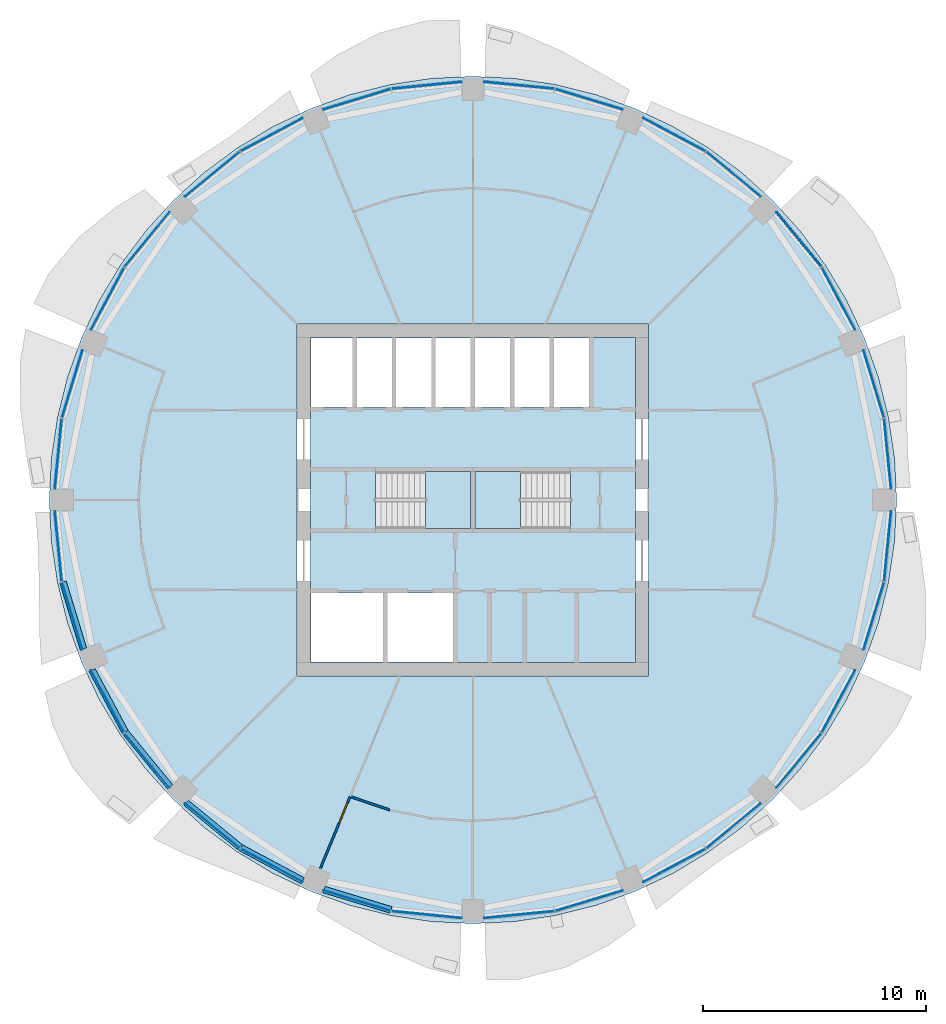
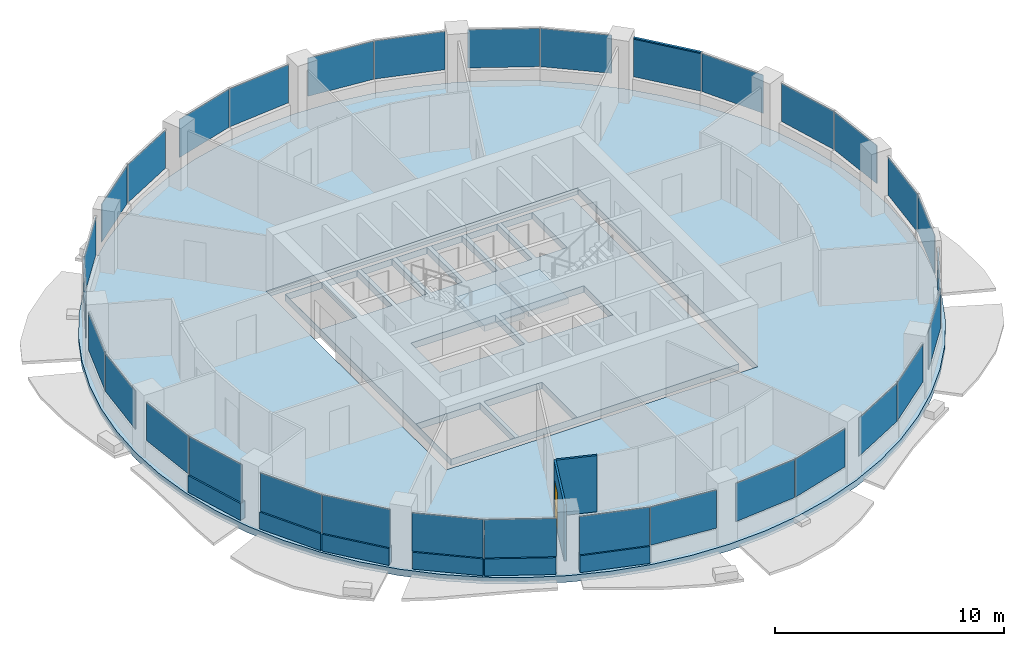
# One storey, part 7 of 15: 32 plates, 8 walls, 4 slabs, 1 door, 1 member, 1 opening, 18 elements without a shape of their own.
"""IFC4 building model written with IfcOpenShell, lengths in metres."""

from ifc_helpers import new_model, si_unit, direction, frame, frame_2d, origin, origin_2d, place, context, subcontext, project, spatial, polyline, rectangle, outline, extrude, material, layer, layer_set, material_profile, profile_set, type_object, element, fill, aggregate, save


model = new_model("IFC4")

# Units and contexts
model_context = context("Model", 3, precision=1e-05, world=origin(), true_north=direction((0.0, 1.0)))
body_context = subcontext(model_context, "Body", "Model", "MODEL_VIEW")
ifc_project = project(units=[si_unit("LENGTHUNIT", "METRE"), si_unit("AREAUNIT", "SQUARE_METRE"), si_unit("VOLUMEUNIT", "CUBIC_METRE"), si_unit("PLANEANGLEUNIT", "RADIAN"), si_unit("MASSUNIT", "GRAM", prefix="KILO")], contexts=[model_context])

# Site, building, storey
site_placement = place(None, origin())
site = spatial("IfcSite", under=ifc_project, at=site_placement, CompositionType="ELEMENT")
building_placement = place(site_placement, origin())
building = spatial("IfcBuilding", under=site, at=building_placement, Name="Polderwave Tower", CompositionType="ELEMENT")
storey_placement = place(building_placement, frame((0.0, 0.0, 137.699951171875)))
storey = spatial("IfcBuildingStorey", under=building, at=storey_placement, Name="L36", CompositionType="ELEMENT", Elevation=137.699951171875)

# Curtain wall, member
ifc_material_1 = material(Name="Aluminium 6063-T6 and glass", Category="aluminium")
curtain_wall_type = type_object("IfcCurtainWallType", Name="Office ribbon glazing wall", PredefinedType="NOTDEFINED", material=ifc_material_1)
curtain_wall_1_placement = place(storey_placement, origin())
curtain_wall_1 = element("IfcCurtainWall", 1, at=curtain_wall_1_placement, inside=storey, type_object=curtain_wall_type, Name="CW3 L36 01", PredefinedType="NOTDEFINED")
ifc_material_2 = material(Name="Aluminium 6063-T6", Category="aluminium")
ifc_material_profile = material_profile(ifc_material_2, rectangle(XDim=0.1201171875, YDim=0.06005859375, at=origin_2d()), Name="AL 60x120")
ifc_profile_set = profile_set([ifc_material_profile], Name="Aluminium 6063-T6")
member_type = type_object("IfcMemberType", Name="Office ribbon glazing transom 60x120", PredefinedType="USERDEFINED", material=ifc_profile_set)
member_placement = place(storey_placement, frame((15.59765625, 10.455322265625, 2.969970703125), z_axis=(-0.634536204131, 0.772893139863, 0.0), x_axis=(-0.772893139863, -0.634536204131, 0.0)))
member = element("IfcMember", 2, at=member_placement, type_object=member_type, Name="CW3 transom 2", ObjectType="TRANSOM", PredefinedType="USERDEFINED", context=body_context, shape_type="SweptSolid", body=[
    extrude(rectangle(XDim=0.1201171875, YDim=0.06005859375, at=origin_2d()), origin(), (0.0, 0.0, 1.0), 3.151611328125),
])

# Slab
ifc_material_3 = material(Name="Concrete C40/50", Category="concrete")
ifc_layer_1 = layer(ifc_material_3, 0.35009765625)
ifc_layer_set_1 = layer_set([ifc_layer_1], Name="Core floor slab 350")
slab_type_1 = type_object("IfcSlabType", Name="Core floor slab 350", PredefinedType="FLOOR", material=ifc_layer_set_1)
slab_1_placement = place(storey_placement, frame((0.0, 0.0, -0.349853515625)))
element("IfcSlab", 3, at=slab_1_placement, inside=storey, type_object=slab_type_1, Name="L36 core floor", PredefinedType="FLOOR", context=body_context, shape_type="SweptSolid", body=[
    extrude(outline(polyline([(-7.27392578125, -7.27392578125), (7.27392578125, -7.27392578125), (7.27392578125, 7.27392578125), (-7.27392578125, 7.27392578125), (-7.27392578125, -7.27392578125)]), holes=[polyline([(-7.25390625, -7.25390625), (-4.037109375, -7.25390625), (-4.037109375, -4.174072265625), (-7.25390625, -4.174072265625), (-7.25390625, -7.25390625)]), polyline([(-3.8369140625, -7.25390625), (-0.89990234375, -7.25390625), (-0.89990234375, -4.174072265625), (-3.8369140625, -4.174072265625), (-3.8369140625, -7.25390625)]), polyline([(-7.25390625, 4.174072265625), (-5.405517578125, 4.174072265625), (-5.405517578125, 7.25390625), (-7.25390625, 7.25390625), (-7.25390625, 4.174072265625)]), polyline([(-5.20556640625, 4.174072265625), (-3.636962890625, 4.174072265625), (-3.636962890625, 7.25390625), (-5.20556640625, 7.25390625), (-5.20556640625, 4.174072265625)]), polyline([(-3.43701171875, 4.174072265625), (-1.868408203125, 4.174072265625), (-1.868408203125, 7.25390625), (-3.43701171875, 7.25390625), (-3.43701171875, 4.174072265625)]), polyline([(-1.66845703125, 4.174072265625), (-0.10009765625, 4.174072265625), (-0.10009765625, 7.25390625), (-1.66845703125, 7.25390625), (-1.66845703125, 4.174072265625)]), polyline([(0.10009765625, 4.174072265625), (1.66845703125, 4.174072265625), (1.66845703125, 7.25390625), (0.10009765625, 7.25390625), (0.10009765625, 4.174072265625)]), polyline([(1.868408203125, 4.174072265625), (3.43701171875, 4.174072265625), (3.43701171875, 7.25390625), (1.868408203125, 7.25390625), (1.868408203125, 4.174072265625)]), polyline([(3.636962890625, 4.174072265625), (5.20556640625, 4.174072265625), (5.20556640625, 7.25390625), (3.636962890625, 7.25390625), (3.636962890625, 4.174072265625)]), polyline([(-4.37353515625, -1.2744140625), (-0.1005859375, -1.2744140625), (-0.1005859375, 1.2744140625), (-4.37353515625, 1.2744140625), (-4.37353515625, -1.2744140625)]), polyline([(0.1005859375, -1.2744140625), (4.37353515625, -1.2744140625), (4.37353515625, 1.2744140625), (0.1005859375, 1.2744140625), (0.1005859375, -1.2744140625)])]), origin(), (0.0, 0.0, 1.0), 0.349853515625),
])

# Curtain wall, plates
curtain_wall_2_placement = place(storey_placement, origin())
curtain_wall_2 = element("IfcCurtainWall", 4, at=curtain_wall_2_placement, inside=storey, type_object=curtain_wall_type, Name="CW3 L36 00", PredefinedType="NOTDEFINED")
ifc_material_4 = material(Name="Glass, low-e laminated double glazing", Category="glass")
ifc_layer_2 = layer(ifc_material_4, 0.031982421875)
ifc_layer_set_2 = layer_set([ifc_layer_2], Name="Office ribbon glazing glass panel 32 mm")
plate_type = type_object("IfcPlateType", Name="Office ribbon glazing glass panel 32 mm", PredefinedType="CURTAIN_PANEL", material=ifc_layer_set_2)
plate_1_placement = place(storey_placement, frame((18.576416015625, 2.068359375, 0.900146484375), z_axis=(0.0, 0.0, 1.0), x_axis=(-0.098133513635, 0.995173258032, 0.0)))
plate_1 = element("IfcPlate", 5, at=plate_1_placement, type_object=plate_type, Name="CW3 panel 1", PredefinedType="CURTAIN_PANEL", context=body_context, shape_type="SweptSolid", body=[
    extrude(rectangle(XDim=3.15185546875, YDim=0.031982421875, at=origin_2d()), origin(), (0.0, 0.0, 1.0), 2.0400390625),
])
plate_2_placement = place(storey_placement, frame((17.95361328125, 5.1982421875, 0.900146484375), z_axis=(0.0, 0.0, 1.0), x_axis=(-0.290348143302, 0.956921081219, 0.0)))
plate_2 = element("IfcPlate", 6, at=plate_2_placement, type_object=plate_type, Name="CW3 panel 2", PredefinedType="CURTAIN_PANEL", context=body_context, shape_type="SweptSolid", body=[
    extrude(rectangle(XDim=3.1513671875, YDim=0.031982421875, at=origin_2d()), origin(), (0.0, 0.0, 1.0), 2.0400390625),
])
aggregate(curtain_wall_2, [plate_1, plate_2])

# Plate
plate_3_placement = place(storey_placement, frame((16.37109375, 9.02001953125, 0.900146484375), z_axis=(0.0, 0.0, 1.0), x_axis=(-0.471453687833, 0.881890821036, 0.0)))
plate_3 = element("IfcPlate", 7, at=plate_3_placement, type_object=plate_type, Name="CW3 panel 1", PredefinedType="CURTAIN_PANEL", context=body_context, shape_type="SweptSolid", body=[
    extrude(rectangle(XDim=3.152099609375, YDim=0.031982421875, at=origin_2d()), origin(), (0.0, 0.0, 1.0), 2.0400390625),
])

plate_4_placement = place(storey_placement, frame((14.597900390625, 11.673095703125, 0.900146484375), z_axis=(0.0, 0.0, 1.0), x_axis=(-0.634505257601, 0.772918545564, 0.0)))
plate_4 = element("IfcPlate", 8, at=plate_4_placement, type_object=plate_type, Name="CW3 panel 2", PredefinedType="CURTAIN_PANEL", context=body_context, shape_type="SweptSolid", body=[
    extrude(rectangle(XDim=3.1513671875, YDim=0.031982421875, at=origin_2d()), origin(), (0.0, 0.0, 1.0), 2.0400390625),
])

aggregate(curtain_wall_1, [member, plate_3, plate_4])

# Curtain wall, plates
curtain_wall_3_placement = place(storey_placement, origin())
curtain_wall_3 = element("IfcCurtainWall", 9, at=curtain_wall_3_placement, inside=storey, type_object=curtain_wall_type, Name="CW3 L36 02", PredefinedType="NOTDEFINED")
plate_5_placement = place(storey_placement, frame((11.673095703125, 14.597900390625, 0.900146484375), z_axis=(0.0, 0.0, 1.0), x_axis=(-0.772918545564, 0.634505257601, 0.0)))
plate_5 = element("IfcPlate", 10, at=plate_5_placement, type_object=plate_type, Name="CW3 panel 1", PredefinedType="CURTAIN_PANEL", context=body_context, shape_type="SweptSolid", body=[
    extrude(rectangle(XDim=3.1513671875, YDim=0.031982421875, at=origin_2d()), origin(), (0.0, 0.0, 1.0), 2.0400390625),
])
plate_6_placement = place(storey_placement, frame((9.02001953125, 16.37109375, 0.900146484375), z_axis=(0.0, 0.0, 1.0), x_axis=(-0.881890821036, 0.471453687833, 0.0)))
plate_6 = element("IfcPlate", 11, at=plate_6_placement, type_object=plate_type, Name="CW3 panel 2", PredefinedType="CURTAIN_PANEL", context=body_context, shape_type="SweptSolid", body=[
    extrude(rectangle(XDim=3.152099609375, YDim=0.031982421875, at=origin_2d()), origin(), (0.0, 0.0, 1.0), 2.0400390625),
])
aggregate(curtain_wall_3, [plate_5, plate_6])

curtain_wall_4_placement = place(storey_placement, origin())
curtain_wall_4 = element("IfcCurtainWall", 12, at=curtain_wall_4_placement, inside=storey, type_object=curtain_wall_type, Name="CW3 L36 03", PredefinedType="NOTDEFINED")
plate_7_placement = place(storey_placement, frame((5.1982421875, 17.95361328125, 0.900146484375), z_axis=(0.0, 0.0, 1.0), x_axis=(-0.956921081219, 0.290348143302, 0.0)))
plate_7 = element("IfcPlate", 13, at=plate_7_placement, type_object=plate_type, Name="CW3 panel 1", PredefinedType="CURTAIN_PANEL", context=body_context, shape_type="SweptSolid", body=[
    extrude(rectangle(XDim=3.1513671875, YDim=0.031982421875, at=origin_2d()), origin(), (0.0, 0.0, 1.0), 2.0400390625),
])
plate_8_placement = place(storey_placement, frame((2.068359375, 18.576416015625, 0.900146484375), z_axis=(0.0, 0.0, 1.0), x_axis=(-0.995173258032, 0.098133513635, 0.0)))
plate_8 = element("IfcPlate", 14, at=plate_8_placement, type_object=plate_type, Name="CW3 panel 2", PredefinedType="CURTAIN_PANEL", context=body_context, shape_type="SweptSolid", body=[
    extrude(rectangle(XDim=3.15185546875, YDim=0.031982421875, at=origin_2d()), origin(), (0.0, 0.0, 1.0), 2.0400390625),
])
aggregate(curtain_wall_4, [plate_7, plate_8])

curtain_wall_5_placement = place(storey_placement, origin())
curtain_wall_5 = element("IfcCurtainWall", 15, at=curtain_wall_5_placement, inside=storey, type_object=curtain_wall_type, Name="CW3 L36 04", PredefinedType="NOTDEFINED")
plate_9_placement = place(storey_placement, frame((-2.068359375, 18.576416015625, 0.900146484375), z_axis=(0.0, 0.0, 1.0), x_axis=(-0.995173258032, -0.098133513635, 0.0)))
plate_9 = element("IfcPlate", 16, at=plate_9_placement, type_object=plate_type, Name="CW3 panel 1", PredefinedType="CURTAIN_PANEL", context=body_context, shape_type="SweptSolid", body=[
    extrude(rectangle(XDim=3.15185546875, YDim=0.031982421875, at=origin_2d()), origin(), (0.0, 0.0, 1.0), 2.0400390625),
])
plate_10_placement = place(storey_placement, frame((-5.1982421875, 17.95361328125, 0.900146484375), z_axis=(0.0, 0.0, 1.0), x_axis=(-0.956921081219, -0.290348143302, 0.0)))
plate_10 = element("IfcPlate", 17, at=plate_10_placement, type_object=plate_type, Name="CW3 panel 2", PredefinedType="CURTAIN_PANEL", context=body_context, shape_type="SweptSolid", body=[
    extrude(rectangle(XDim=3.1513671875, YDim=0.031982421875, at=origin_2d()), origin(), (0.0, 0.0, 1.0), 2.0400390625),
])
aggregate(curtain_wall_5, [plate_9, plate_10])

curtain_wall_6_placement = place(storey_placement, origin())
curtain_wall_6 = element("IfcCurtainWall", 18, at=curtain_wall_6_placement, inside=storey, type_object=curtain_wall_type, Name="CW3 L36 05", PredefinedType="NOTDEFINED")
plate_11_placement = place(storey_placement, frame((-9.02001953125, 16.37109375, 0.900146484375), z_axis=(0.0, 0.0, 1.0), x_axis=(-0.881890821036, -0.471453687833, 0.0)))
plate_11 = element("IfcPlate", 19, at=plate_11_placement, type_object=plate_type, Name="CW3 panel 1", PredefinedType="CURTAIN_PANEL", context=body_context, shape_type="SweptSolid", body=[
    extrude(rectangle(XDim=3.152099609375, YDim=0.031982421875, at=origin_2d()), origin(), (0.0, 0.0, 1.0), 2.0400390625),
])
plate_12_placement = place(storey_placement, frame((-11.673095703125, 14.597900390625, 0.900146484375), z_axis=(0.0, 0.0, 1.0), x_axis=(-0.772918545564, -0.634505257601, 0.0)))
plate_12 = element("IfcPlate", 20, at=plate_12_placement, type_object=plate_type, Name="CW3 panel 2", PredefinedType="CURTAIN_PANEL", context=body_context, shape_type="SweptSolid", body=[
    extrude(rectangle(XDim=3.1513671875, YDim=0.031982421875, at=origin_2d()), origin(), (0.0, 0.0, 1.0), 2.0400390625),
])
aggregate(curtain_wall_6, [plate_11, plate_12])

curtain_wall_7_placement = place(storey_placement, origin())
curtain_wall_7 = element("IfcCurtainWall", 21, at=curtain_wall_7_placement, inside=storey, type_object=curtain_wall_type, Name="CW3 L36 06", PredefinedType="NOTDEFINED")
plate_13_placement = place(storey_placement, frame((-14.597900390625, 11.673095703125, 0.900146484375), z_axis=(0.0, 0.0, 1.0), x_axis=(-0.634505257601, -0.772918545564, 0.0)))
plate_13 = element("IfcPlate", 22, at=plate_13_placement, type_object=plate_type, Name="CW3 panel 1", PredefinedType="CURTAIN_PANEL", context=body_context, shape_type="SweptSolid", body=[
    extrude(rectangle(XDim=3.1513671875, YDim=0.031982421875, at=origin_2d()), origin(), (0.0, 0.0, 1.0), 2.0400390625),
])
plate_14_placement = place(storey_placement, frame((-16.37109375, 9.02001953125, 0.900146484375), z_axis=(0.0, 0.0, 1.0), x_axis=(-0.471453687833, -0.881890821036, 0.0)))
plate_14 = element("IfcPlate", 23, at=plate_14_placement, type_object=plate_type, Name="CW3 panel 2", PredefinedType="CURTAIN_PANEL", context=body_context, shape_type="SweptSolid", body=[
    extrude(rectangle(XDim=3.152099609375, YDim=0.031982421875, at=origin_2d()), origin(), (0.0, 0.0, 1.0), 2.0400390625),
])
aggregate(curtain_wall_7, [plate_13, plate_14])

curtain_wall_8_placement = place(storey_placement, origin())
curtain_wall_8 = element("IfcCurtainWall", 24, at=curtain_wall_8_placement, inside=storey, type_object=curtain_wall_type, Name="CW3 L36 07", PredefinedType="NOTDEFINED")
plate_15_placement = place(storey_placement, frame((-17.95361328125, 5.1982421875, 0.900146484375), z_axis=(0.0, 0.0, 1.0), x_axis=(-0.290348143302, -0.956921081219, 0.0)))
plate_15 = element("IfcPlate", 25, at=plate_15_placement, type_object=plate_type, Name="CW3 panel 1", PredefinedType="CURTAIN_PANEL", context=body_context, shape_type="SweptSolid", body=[
    extrude(rectangle(XDim=3.1513671875, YDim=0.031982421875, at=origin_2d()), origin(), (0.0, 0.0, 1.0), 2.0400390625),
])
plate_16_placement = place(storey_placement, frame((-18.576416015625, 2.068359375, 0.900146484375), z_axis=(0.0, 0.0, 1.0), x_axis=(-0.098133513635, -0.995173258032, 0.0)))
plate_16 = element("IfcPlate", 26, at=plate_16_placement, type_object=plate_type, Name="CW3 panel 2", PredefinedType="CURTAIN_PANEL", context=body_context, shape_type="SweptSolid", body=[
    extrude(rectangle(XDim=3.15185546875, YDim=0.031982421875, at=origin_2d()), origin(), (0.0, 0.0, 1.0), 2.0400390625),
])
aggregate(curtain_wall_8, [plate_15, plate_16])

curtain_wall_9_placement = place(storey_placement, origin())
curtain_wall_9 = element("IfcCurtainWall", 27, at=curtain_wall_9_placement, inside=storey, type_object=curtain_wall_type, Name="CW3 L36 08", PredefinedType="NOTDEFINED")
plate_17_placement = place(storey_placement, frame((-18.576416015625, -2.068359375, 0.900146484375), z_axis=(0.0, 0.0, 1.0), x_axis=(0.098133513635, -0.995173258032, 0.0)))
plate_17 = element("IfcPlate", 28, at=plate_17_placement, type_object=plate_type, Name="CW3 panel 1", PredefinedType="CURTAIN_PANEL", context=body_context, shape_type="SweptSolid", body=[
    extrude(rectangle(XDim=3.15185546875, YDim=0.031982421875, at=origin_2d()), origin(), (0.0, 0.0, 1.0), 2.0400390625),
])
plate_18_placement = place(storey_placement, frame((-17.95361328125, -5.1982421875, 0.900146484375), z_axis=(0.0, 0.0, 1.0), x_axis=(0.290348143302, -0.956921081219, 0.0)))
plate_18 = element("IfcPlate", 29, at=plate_18_placement, type_object=plate_type, Name="CW3 panel 2", PredefinedType="CURTAIN_PANEL", context=body_context, shape_type="SweptSolid", body=[
    extrude(rectangle(XDim=3.1513671875, YDim=0.031982421875, at=origin_2d()), origin(), (0.0, 0.0, 1.0), 2.0400390625),
])
aggregate(curtain_wall_9, [plate_17, plate_18])

curtain_wall_10_placement = place(storey_placement, origin())
curtain_wall_10 = element("IfcCurtainWall", 30, at=curtain_wall_10_placement, inside=storey, type_object=curtain_wall_type, Name="CW3 L36 09", PredefinedType="NOTDEFINED")
plate_19_placement = place(storey_placement, frame((-16.37109375, -9.02001953125, 0.900146484375), z_axis=(0.0, 0.0, 1.0), x_axis=(0.471453687833, -0.881890821036, 0.0)))
plate_19 = element("IfcPlate", 31, at=plate_19_placement, type_object=plate_type, Name="CW3 panel 1", PredefinedType="CURTAIN_PANEL", context=body_context, shape_type="SweptSolid", body=[
    extrude(rectangle(XDim=3.152099609375, YDim=0.031982421875, at=origin_2d()), origin(), (0.0, 0.0, 1.0), 2.0400390625),
])
plate_20_placement = place(storey_placement, frame((-14.597900390625, -11.673095703125, 0.900146484375), z_axis=(0.0, 0.0, 1.0), x_axis=(0.634505257601, -0.772918545564, 0.0)))
plate_20 = element("IfcPlate", 32, at=plate_20_placement, type_object=plate_type, Name="CW3 panel 2", PredefinedType="CURTAIN_PANEL", context=body_context, shape_type="SweptSolid", body=[
    extrude(rectangle(XDim=3.1513671875, YDim=0.031982421875, at=origin_2d()), origin(), (0.0, 0.0, 1.0), 2.0400390625),
])
aggregate(curtain_wall_10, [plate_19, plate_20])

curtain_wall_11_placement = place(storey_placement, origin())
curtain_wall_11 = element("IfcCurtainWall", 33, at=curtain_wall_11_placement, inside=storey, type_object=curtain_wall_type, Name="CW3 L36 10", PredefinedType="NOTDEFINED")
plate_21_placement = place(storey_placement, frame((-11.673095703125, -14.597900390625, 0.900146484375), z_axis=(0.0, 0.0, 1.0), x_axis=(0.772918545564, -0.634505257601, 0.0)))
plate_21 = element("IfcPlate", 34, at=plate_21_placement, type_object=plate_type, Name="CW3 panel 1", PredefinedType="CURTAIN_PANEL", context=body_context, shape_type="SweptSolid", body=[
    extrude(rectangle(XDim=3.1513671875, YDim=0.031982421875, at=origin_2d()), origin(), (0.0, 0.0, 1.0), 2.0400390625),
])
plate_22_placement = place(storey_placement, frame((-9.02001953125, -16.37109375, 0.900146484375), z_axis=(0.0, 0.0, 1.0), x_axis=(0.881890821036, -0.471453687833, 0.0)))
plate_22 = element("IfcPlate", 35, at=plate_22_placement, type_object=plate_type, Name="CW3 panel 2", PredefinedType="CURTAIN_PANEL", context=body_context, shape_type="SweptSolid", body=[
    extrude(rectangle(XDim=3.152099609375, YDim=0.031982421875, at=origin_2d()), origin(), (0.0, 0.0, 1.0), 2.0400390625),
])
aggregate(curtain_wall_11, [plate_21, plate_22])

curtain_wall_12_placement = place(storey_placement, origin())
curtain_wall_12 = element("IfcCurtainWall", 36, at=curtain_wall_12_placement, inside=storey, type_object=curtain_wall_type, Name="CW3 L36 11", PredefinedType="NOTDEFINED")
plate_23_placement = place(storey_placement, frame((-5.1982421875, -17.95361328125, 0.900146484375), z_axis=(0.0, 0.0, 1.0), x_axis=(0.956921081219, -0.290348143302, 0.0)))
plate_23 = element("IfcPlate", 37, at=plate_23_placement, type_object=plate_type, Name="CW3 panel 1", PredefinedType="CURTAIN_PANEL", context=body_context, shape_type="SweptSolid", body=[
    extrude(rectangle(XDim=3.1513671875, YDim=0.031982421875, at=origin_2d()), origin(), (0.0, 0.0, 1.0), 2.0400390625),
])
plate_24_placement = place(storey_placement, frame((-2.068359375, -18.576416015625, 0.900146484375), z_axis=(0.0, 0.0, 1.0), x_axis=(0.995173258032, -0.098133513635, 0.0)))
plate_24 = element("IfcPlate", 38, at=plate_24_placement, type_object=plate_type, Name="CW3 panel 2", PredefinedType="CURTAIN_PANEL", context=body_context, shape_type="SweptSolid", body=[
    extrude(rectangle(XDim=3.15185546875, YDim=0.031982421875, at=origin_2d()), origin(), (0.0, 0.0, 1.0), 2.0400390625),
])
aggregate(curtain_wall_12, [plate_23, plate_24])

curtain_wall_13_placement = place(storey_placement, origin())
curtain_wall_13 = element("IfcCurtainWall", 39, at=curtain_wall_13_placement, inside=storey, type_object=curtain_wall_type, Name="CW3 L36 12", PredefinedType="NOTDEFINED")
plate_25_placement = place(storey_placement, frame((2.068359375, -18.576416015625, 0.900146484375), z_axis=(0.0, 0.0, 1.0), x_axis=(0.995173258032, 0.098133513635, 0.0)))
plate_25 = element("IfcPlate", 40, at=plate_25_placement, type_object=plate_type, Name="CW3 panel 1", PredefinedType="CURTAIN_PANEL", context=body_context, shape_type="SweptSolid", body=[
    extrude(rectangle(XDim=3.15185546875, YDim=0.031982421875, at=origin_2d()), origin(), (0.0, 0.0, 1.0), 2.0400390625),
])
plate_26_placement = place(storey_placement, frame((5.1982421875, -17.95361328125, 0.900146484375), z_axis=(0.0, 0.0, 1.0), x_axis=(0.956921081219, 0.290348143302, 0.0)))
plate_26 = element("IfcPlate", 41, at=plate_26_placement, type_object=plate_type, Name="CW3 panel 2", PredefinedType="CURTAIN_PANEL", context=body_context, shape_type="SweptSolid", body=[
    extrude(rectangle(XDim=3.1513671875, YDim=0.031982421875, at=origin_2d()), origin(), (0.0, 0.0, 1.0), 2.0400390625),
])
aggregate(curtain_wall_13, [plate_25, plate_26])

curtain_wall_14_placement = place(storey_placement, origin())
curtain_wall_14 = element("IfcCurtainWall", 42, at=curtain_wall_14_placement, inside=storey, type_object=curtain_wall_type, Name="CW3 L36 13", PredefinedType="NOTDEFINED")
plate_27_placement = place(storey_placement, frame((9.02001953125, -16.37109375, 0.900146484375), z_axis=(0.0, 0.0, 1.0), x_axis=(0.881890821036, 0.471453687833, 0.0)))
plate_27 = element("IfcPlate", 43, at=plate_27_placement, type_object=plate_type, Name="CW3 panel 1", PredefinedType="CURTAIN_PANEL", context=body_context, shape_type="SweptSolid", body=[
    extrude(rectangle(XDim=3.152099609375, YDim=0.031982421875, at=origin_2d()), origin(), (0.0, 0.0, 1.0), 2.0400390625),
])
plate_28_placement = place(storey_placement, frame((11.673095703125, -14.597900390625, 0.900146484375), z_axis=(0.0, 0.0, 1.0), x_axis=(0.772918545564, 0.634505257601, 0.0)))
plate_28 = element("IfcPlate", 44, at=plate_28_placement, type_object=plate_type, Name="CW3 panel 2", PredefinedType="CURTAIN_PANEL", context=body_context, shape_type="SweptSolid", body=[
    extrude(rectangle(XDim=3.1513671875, YDim=0.031982421875, at=origin_2d()), origin(), (0.0, 0.0, 1.0), 2.0400390625),
])
aggregate(curtain_wall_14, [plate_27, plate_28])

curtain_wall_15_placement = place(storey_placement, origin())
curtain_wall_15 = element("IfcCurtainWall", 45, at=curtain_wall_15_placement, inside=storey, type_object=curtain_wall_type, Name="CW3 L36 14", PredefinedType="NOTDEFINED")
plate_29_placement = place(storey_placement, frame((14.597900390625, -11.673095703125, 0.900146484375), z_axis=(0.0, 0.0, 1.0), x_axis=(0.634505257601, 0.772918545564, 0.0)))
plate_29 = element("IfcPlate", 46, at=plate_29_placement, type_object=plate_type, Name="CW3 panel 1", PredefinedType="CURTAIN_PANEL", context=body_context, shape_type="SweptSolid", body=[
    extrude(rectangle(XDim=3.1513671875, YDim=0.031982421875, at=origin_2d()), origin(), (0.0, 0.0, 1.0), 2.0400390625),
])
plate_30_placement = place(storey_placement, frame((16.37109375, -9.02001953125, 0.900146484375), z_axis=(0.0, 0.0, 1.0), x_axis=(0.471453687833, 0.881890821036, 0.0)))
plate_30 = element("IfcPlate", 47, at=plate_30_placement, type_object=plate_type, Name="CW3 panel 2", PredefinedType="CURTAIN_PANEL", context=body_context, shape_type="SweptSolid", body=[
    extrude(rectangle(XDim=3.152099609375, YDim=0.031982421875, at=origin_2d()), origin(), (0.0, 0.0, 1.0), 2.0400390625),
])
aggregate(curtain_wall_15, [plate_29, plate_30])

curtain_wall_16_placement = place(storey_placement, origin())
curtain_wall_16 = element("IfcCurtainWall", 48, at=curtain_wall_16_placement, inside=storey, type_object=curtain_wall_type, Name="CW3 L36 15", PredefinedType="NOTDEFINED")
plate_31_placement = place(storey_placement, frame((17.95361328125, -5.1982421875, 0.900146484375), z_axis=(0.0, 0.0, 1.0), x_axis=(0.290348143302, 0.956921081219, 0.0)))
plate_31 = element("IfcPlate", 49, at=plate_31_placement, type_object=plate_type, Name="CW3 panel 1", PredefinedType="CURTAIN_PANEL", context=body_context, shape_type="SweptSolid", body=[
    extrude(rectangle(XDim=3.1513671875, YDim=0.031982421875, at=origin_2d()), origin(), (0.0, 0.0, 1.0), 2.0400390625),
])
plate_32_placement = place(storey_placement, frame((18.576416015625, -2.068359375, 0.900146484375), z_axis=(0.0, 0.0, 1.0), x_axis=(0.098133513635, 0.995173258032, 0.0)))
plate_32 = element("IfcPlate", 50, at=plate_32_placement, type_object=plate_type, Name="CW3 panel 2", PredefinedType="CURTAIN_PANEL", context=body_context, shape_type="SweptSolid", body=[
    extrude(rectangle(XDim=3.15185546875, YDim=0.031982421875, at=origin_2d()), origin(), (0.0, 0.0, 1.0), 2.0400390625),
])
aggregate(curtain_wall_16, [plate_31, plate_32])

# Slab
ifc_layer_3 = layer(ifc_material_3, 0.35009765625)
ifc_layer_set_3 = layer_set([ifc_layer_3], Name="PT FLOOR SLAB 350 C40/50")
slab_type_2 = type_object("IfcSlabType", Name="PT FLOOR SLAB 350 C40/50", PredefinedType="FLOOR", material=ifc_layer_set_3)
slab_2_placement = place(storey_placement, frame((0.0, 0.0, -0.349853515625)))
element("IfcSlab", 51, at=slab_2_placement, inside=storey, type_object=slab_type_2, Name="ST-SLAB-L36", PredefinedType="FLOOR", context=body_context, shape_type="SweptSolid", body=[
    extrude(outline(polyline([(18.97998046875, 0.0), (18.888671875, 1.8603515625), (18.615234375, 3.702880859375), (18.16259765625, 5.509521484375), (17.53515625, 7.26318359375), (16.739013671875, 8.947021484375), (15.78125, 10.544677734375), (14.671630859375, 12.040771484375), (13.4208984375, 13.4208984375), (12.040771484375, 14.671630859375), (10.544677734375, 15.78125), (8.947021484375, 16.739013671875), (7.26318359375, 17.53515625), (5.509521484375, 18.16259765625), (3.702880859375, 18.615234375), (1.8603515625, 18.888671875), (0.0, 18.97998046875), (-1.8603515625, 18.888671875), (-3.702880859375, 18.615234375), (-5.509521484375, 18.16259765625), (-7.26318359375, 17.53515625), (-8.947021484375, 16.739013671875), (-10.544677734375, 15.78125), (-12.040771484375, 14.671630859375), (-13.4208984375, 13.4208984375), (-14.671630859375, 12.040771484375), (-15.78125, 10.544677734375), (-16.739013671875, 8.947021484375), (-17.53515625, 7.26318359375), (-18.16259765625, 5.509521484375), (-18.615234375, 3.702880859375), (-18.888671875, 1.8603515625), (-18.97998046875, 0.0), (-18.888671875, -1.8603515625), (-18.615234375, -3.702880859375), (-18.16259765625, -5.509521484375), (-17.53515625, -7.26318359375), (-16.739013671875, -8.947021484375), (-15.78125, -10.544677734375), (-14.671630859375, -12.040771484375), (-13.4208984375, -13.4208984375), (-12.040771484375, -14.671630859375), (-10.544677734375, -15.78125), (-8.947021484375, -16.739013671875), (-7.26318359375, -17.53515625), (-5.509521484375, -18.16259765625), (-3.702880859375, -18.615234375), (-1.8603515625, -18.888671875), (0.0, -18.97998046875), (1.8603515625, -18.888671875), (3.702880859375, -18.615234375), (5.509521484375, -18.16259765625), (7.26318359375, -17.53515625), (8.947021484375, -16.739013671875), (10.544677734375, -15.78125), (12.040771484375, -14.671630859375), (13.4208984375, -13.4208984375), (14.671630859375, -12.040771484375), (15.78125, -10.544677734375), (16.739013671875, -8.947021484375), (17.53515625, -7.26318359375), (18.16259765625, -5.509521484375), (18.615234375, -3.702880859375), (18.888671875, -1.8603515625), (18.97998046875, 0.0)]), holes=[polyline([(-7.8740234375, -7.8740234375), (7.8740234375, -7.8740234375), (7.8740234375, 7.8740234375), (-7.8740234375, 7.8740234375), (-7.8740234375, -7.8740234375)])]), origin(), (0.0, 0.0, 1.0), 0.349853515625),
])

# Stair, slab
stair_type = type_object("IfcStairType", Name="Exit stair 1200 x 20 risers", PredefinedType="HALF_TURN_STAIR", material=ifc_material_3)
stair_1_placement = place(storey_placement, origin())
stair_1 = element("IfcStair", 52, at=stair_1_placement, inside=storey, type_object=stair_type, Name="L36 Exit stair A", PredefinedType="HALF_TURN_STAIR")
ifc_layer_4 = layer(ifc_material_3, 0.300048828125)
ifc_layer_set_4 = layer_set([ifc_layer_4], Name="Stair landing 300")
slab_type_3 = type_object("IfcSlabType", Name="Stair landing 300", PredefinedType="LANDING", material=ifc_layer_set_4)
slab_3_placement = place(storey_placement, frame((0.0, 0.0, 1.375)))
slab_3 = element("IfcSlab", 53, at=slab_3_placement, type_object=slab_type_3, Name="ST-A landing 1", PredefinedType="LANDING", context=body_context, shape_type="SweptSolid", body=[
    extrude(outline(polyline([(-2.1240234375, -1.27490234375), (-0.10009765625, -1.27490234375), (-0.10009765625, 1.27490234375), (-2.1240234375, 1.27490234375), (-2.1240234375, -1.27490234375)])), origin(), (0.0, 0.0, 1.0), 0.300048828125),
])
aggregate(stair_1, [slab_3])

stair_2_placement = place(storey_placement, origin())
stair_2 = element("IfcStair", 54, at=stair_2_placement, inside=storey, type_object=stair_type, Name="L36 Exit stair B", PredefinedType="HALF_TURN_STAIR")
slab_4_placement = place(storey_placement, frame((0.0, 0.0, 1.375)))
slab_4 = element("IfcSlab", 55, at=slab_4_placement, type_object=slab_type_3, Name="ST-B landing 1", PredefinedType="LANDING", context=body_context, shape_type="SweptSolid", body=[
    extrude(outline(polyline([(2.1240234375, 1.27490234375), (0.10009765625, 1.27490234375), (0.10009765625, -1.27490234375), (2.1240234375, -1.27490234375), (2.1240234375, 1.27490234375)])), origin(), (0.0, 0.0, 1.0), 0.300048828125),
])
aggregate(stair_2, [slab_4])

# Walls
ifc_material_5 = material(Name="Concrete C50/60 (board-marked)", Category="concrete")
ifc_layer_5 = layer(ifc_material_5, 0.300048828125)
ifc_layer_set_5 = layer_set([ifc_layer_5], Name="Concrete spandrel upstand C50/60")
wall_type_1 = type_object("IfcWallType", Name="Concrete spandrel upstand C50/60", PredefinedType="SOLIDWALL", material=ifc_layer_set_5)
wall_1_placement = place(storey_placement, frame((-18.365478515625, -3.66845703125, 0.0), z_axis=(0.0, 0.0, 1.0), x_axis=(0.290434573745, -0.956894852308, 0.0)))
element("IfcWall", 56, at=wall_1_placement, inside=storey, type_object=wall_type_1, Name="Spandrel L36 9b", PredefinedType="SOLIDWALL", context=body_context, shape_type="SweptSolid", body=[
    extrude(rectangle(XDim=3.140380859375, YDim=0.300048828125, at=frame_2d((1.5703125, 0.0))), origin(), (0.0, 0.0, 1.0), 0.900146484375),
])
for number, where, z_axis, x_axis, name in (
    (57, (-17.060791015625, -7.623291015625, 0.0), (0.0, 0.0, 1.0), (0.471487773873, -0.881872597991, 0.0), "Spandrel L36 10a"),
    (58, (-15.5634765625, -10.41748046875, 0.0), (0.0, 0.0, 1.0), (0.634270150579, -0.773111490074, 0.0), "Spandrel L36 10b"),
    (59, (-12.845458984375, -13.571533203125, 0.0), (0.0, 0.0, 1.0), (0.773111490074, -0.634270150579, 0.0), "Spandrel L36 11a"),
    (60, (-10.392822265625, -15.580078125, 0.0), (0.0, 0.0, 1.0), (0.881872597991, -0.471487773873, 0.0), "Spandrel L36 11b"),
):
    element("IfcWall", number, at=place(storey_placement, frame(where, z_axis=z_axis, x_axis=x_axis)), inside=storey, type_object=wall_type_1, Name=name, PredefinedType="SOLIDWALL", context=body_context, shape_type="SweptSolid", body=[
        extrude(rectangle(XDim=3.140625, YDim=0.300048828125, at=frame_2d((1.5703125, 0.0))), origin(), (0.0, 0.0, 1.0), 0.900146484375),
    ])
wall_2_placement = place(storey_placement, frame((-6.673583984375, -17.453369140625, 0.0), z_axis=(0.0, 0.0, 1.0), x_axis=(0.956894852308, -0.290434573745, 0.0)))
element("IfcWall", 61, at=wall_2_placement, inside=storey, type_object=wall_type_1, Name="Spandrel L36 12a", PredefinedType="SOLIDWALL", context=body_context, shape_type="SweptSolid", body=[
    extrude(rectangle(XDim=3.140380859375, YDim=0.300048828125, at=frame_2d((1.5703125, 0.0))), origin(), (0.0, 0.0, 1.0), 0.900146484375),
])

# Wall, opening, door
ifc_material_6 = material(Name="Plasterboard on steel studs", Category="steel")
ifc_layer_6 = layer(ifc_material_6, 0.10009765625)
ifc_layer_set_6 = layer_set([ifc_layer_6], Name="Partition 100 mm plasterboard on steel studs")
wall_type_2 = type_object("IfcWallType", Name="Partition 100 mm plasterboard on steel studs", PredefinedType="PARTITIONING", material=ifc_layer_set_6)
wall_3_placement = place(storey_placement, frame((-5.5029296875, -13.285400390625, 0.0), z_axis=(0.0, 0.0, 1.0), x_axis=(-0.382681133009, -0.923880484932, 0.0)))
wall_3 = element("IfcWall", 62, at=wall_3_placement, inside=storey, type_object=wall_type_2, Name="IN-L36-W042", PredefinedType="PARTITIONING", context=body_context, shape_type="SweptSolid", body=[
    extrude(rectangle(XDim=3.469970703125, YDim=0.10009765625, at=frame_2d((1.73486328125, 0.0))), origin(), (0.0, 0.0, 1.0), 3.0),
])
opening_placement = place(wall_3_placement, frame((0.300048828125, 0.0, 0.0)))
opening = element("IfcOpeningElement", 63, at=opening_placement, cuts=wall_3, Name="Opening L36-D65", PredefinedType="OPENING", context=body_context, shape_type="SweptSolid", body=[
    extrude(rectangle(XDim=1.0, YDim=2.10009765625, at=frame_2d((0.5, 1.050048828125))), frame((0.0, 0.06005859375, 0.0), z_axis=(0.0, -1.0, 0.0), x_axis=(1.0, 0.0, 0.0)), (0.0, 0.0, 1.0), 0.1201171875),
])
ifc_material_7 = material(Name="Timber veneer door leaf", Category="wood")
door_type = type_object("IfcDoorType", Name="Single door 1000 x 2100", OperationType="NOTDEFINED", PredefinedType="DOOR", material=ifc_material_7)
door_placement = place(opening_placement, origin())
door = element("IfcDoor", 64, at=door_placement, inside=storey, type_object=door_type, Name="Door L36-D65", OperationType="SINGLE_SWING_LEFT", OverallHeight=2.10009765625, OverallWidth=1.0, PredefinedType="DOOR", context=body_context, shape_type="SweptSolid", body=[
    extrude(rectangle(XDim=1.0, YDim=2.10009765625, at=frame_2d((0.5, 1.050048828125))), frame((0.0, 0.02490234375, 0.0), z_axis=(0.0, -1.0, 0.0), x_axis=(1.0, 0.0, 0.0)), (0.0, 0.0, 1.0), 0.050048828125),
])
fill(opening, door)

# Wall
ifc_material_8 = material(Name="Moisture-resistant board on steel studs, tiled", Category="steel")
ifc_layer_7 = layer(ifc_material_8, 0.10498046875)
ifc_layer_set_7 = layer_set([ifc_layer_7], Name="Partition 105 mm wet room board and tile")
wall_type_3 = type_object("IfcWallType", Name="Partition 105 mm wet room board and tile", PredefinedType="PARTITIONING", material=ifc_layer_set_7)
wall_4_placement = place(storey_placement, frame((-3.72509765625, -13.888916015625, 0.0), z_axis=(0.0, 0.0, 1.0), x_axis=(-0.946940097315, 0.321410099556, 0.0)))
element("IfcWall", 65, at=wall_4_placement, inside=storey, type_object=wall_type_3, Name="IN-L36-W043", PredefinedType="PARTITIONING", context=body_context, shape_type="SweptSolid", body=[
    extrude(rectangle(XDim=1.821533203125, YDim=0.10498046875, at=frame_2d((0.91064453125, 0.0))), origin(), (0.0, 0.0, 1.0), 3.0),
])

save(model, "model.ifc")
